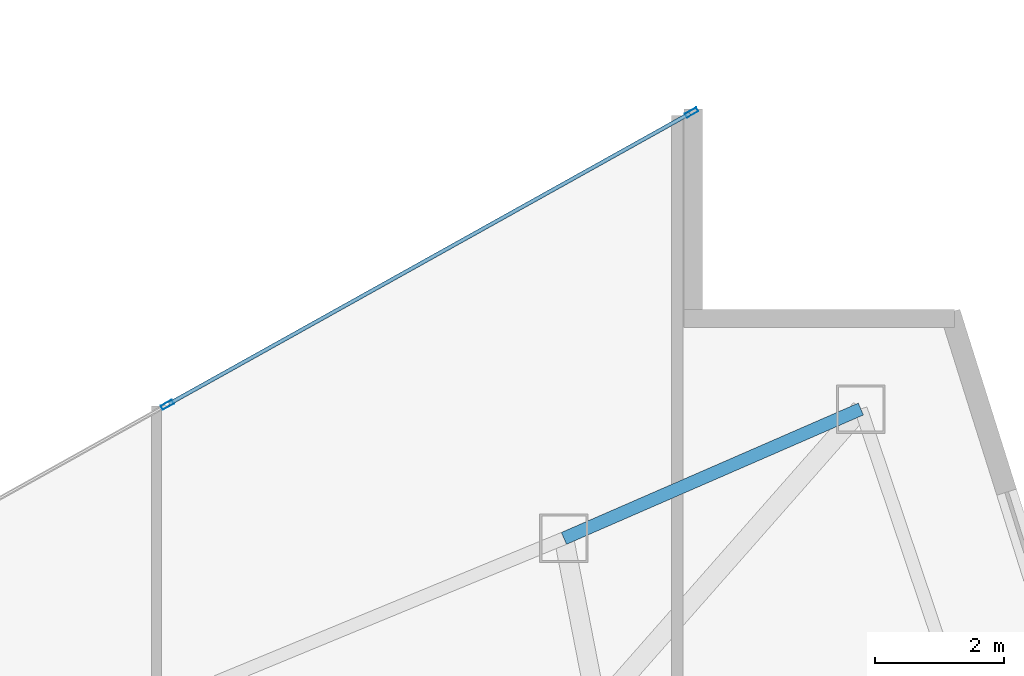
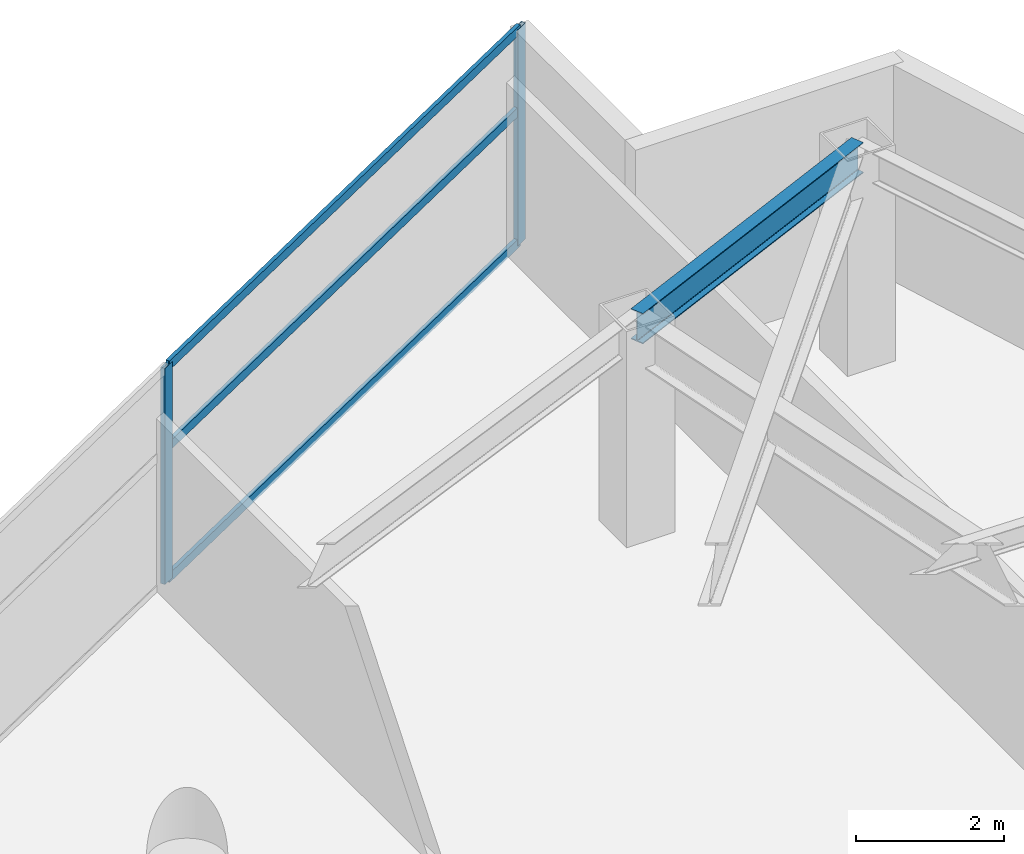
# One storey, part 20 of 29: 5 members, 1 beam, 1 element without a shape of its own.
"""IFC4 building model written with IfcOpenShell, lengths in metres."""

from ifc_helpers import new_model, si_unit, direction, frame, origin, origin_2d, place, context, subcontext, project, spatial, hollow_rectangle, i_section, extrude, material, layer, layer_set, material_profile, profile_set, type_object, element, aggregate, save


model = new_model("IFC4")

# Units and contexts
model_context = context("Model", 3, precision=1e-05, world=origin(), true_north=direction((0.0, 1.0)))
body_context = subcontext(model_context, "Body", "Model", "MODEL_VIEW")
ifc_project = project(units=[si_unit("LENGTHUNIT", "METRE"), si_unit("AREAUNIT", "SQUARE_METRE"), si_unit("VOLUMEUNIT", "CUBIC_METRE"), si_unit("PLANEANGLEUNIT", "RADIAN"), si_unit("MASSUNIT", "GRAM", prefix="KILO")], contexts=[model_context])

# Site, building, storey
site_placement = place(None, origin())
site = spatial("IfcSite", under=ifc_project, at=site_placement, CompositionType="ELEMENT")
building_placement = place(site_placement, origin())
building = spatial("IfcBuilding", under=site, at=building_placement, Name="Calvorn Quay Hotel", CompositionType="ELEMENT")
storey_placement = place(building_placement, frame((0.0, 0.0, 120.199951171875)))
storey = spatial("IfcBuildingStorey", under=building, at=storey_placement, Name="L29", CompositionType="ELEMENT", Elevation=120.199951171875)

# Beam
ifc_material_1 = material(Name="Steel Q355B", Category="steel")
ifc_material_profile_1 = material_profile(ifc_material_1, i_section(OverallWidth=0.199951171875, OverallDepth=0.5, WebThickness=0.010009765625, FlangeThickness=0.01611328125, FilletRadius=0.01611328125, at=origin_2d()), Name="HN500x200x10x16")
ifc_profile_set_1 = profile_set([ifc_material_profile_1], Name="Steel Q355B")
beam_type = type_object("IfcBeamType", Name="BM-SPANDREL-Z1", PredefinedType="SPANDREL", material=ifc_profile_set_1)
beam_placement = place(storey_placement, frame((48.591064453125, 33.39990234375, 3.2900390625), z_axis=(-0.916786146489, -0.399378469132, 0.0), x_axis=(0.399378469132, -0.916786146489, 0.0)))
element("IfcBeam", 1, at=beam_placement, inside=storey, type_object=beam_type, Name="Beam BSP-L29-E3", PredefinedType="SPANDREL", context=body_context, shape_type="SweptSolid", body=[
    extrude(i_section(OverallWidth=0.199951171875, OverallDepth=0.5, WebThickness=0.010009765625, FlangeThickness=0.01611328125, FilletRadius=0.01611328125, at=origin_2d()), origin(), (0.0, 0.0, 1.0), 5.0078125),
])

# Curtain wall, members
ifc_material_2 = material(Name="Pale Anodised Aluminium and Low-E Glass", Category="aluminium")
ifc_layer = layer(ifc_material_2, 0.219970703125)
ifc_layer_set = layer_set([ifc_layer], Name="CW-SYS-Z2")
curtain_wall_type = type_object("IfcCurtainWallType", Name="CW-SYS-Z2", PredefinedType="NOTDEFINED", material=ifc_layer_set)
curtain_wall_placement = place(storey_placement, origin())
curtain_wall = element("IfcCurtainWall", 2, at=curtain_wall_placement, inside=storey, type_object=curtain_wall_type, Name="Inner Court Curtain Wall L29-NE1", PredefinedType="NOTDEFINED")
ifc_material_3 = material(Name="Pale Anodised Aluminium 6063-T6", Category="aluminium")
ifc_material_profile_2 = material_profile(ifc_material_3, hollow_rectangle(XDim=0.070068359375, YDim=0.199951171875, WallThickness=0.00390625, at=origin_2d()), Name="ALU-M200x70x4")
ifc_profile_set_2 = profile_set([ifc_material_profile_2], Name="Pale Anodised Aluminium 6063-T6")
member_type_1 = type_object("IfcMemberType", Name="CW-SYS-Z2-MUL", PredefinedType="MULLION", material=ifc_profile_set_2)
member_1_placement = place(storey_placement, frame((45.973876953125, 37.9853515625, 0.0), z_axis=(0.0, 0.0, 1.0), x_axis=(0.486858256224, -0.873480989116, 0.0)))
member_1 = element("IfcMember", 3, at=member_1_placement, type_object=member_type_1, Name="CW-L29-NE1 mullion 1", PredefinedType="MULLION", context=body_context, shape_type="SweptSolid", body=[
    extrude(hollow_rectangle(XDim=0.070068359375, YDim=0.199951171875, WallThickness=0.00390625, at=origin_2d()), origin(), (0.0, 0.0, 1.0), 3.56005859375),
])
member_2_placement = place(storey_placement, frame((37.86669921875, 33.466552734375, 0.0), z_axis=(0.0, 0.0, 1.0), x_axis=(0.486858256224, -0.873480989116, 0.0)))
member_2 = element("IfcMember", 4, at=member_2_placement, type_object=member_type_1, Name="CW-L29-NE1 mullion 2", PredefinedType="MULLION", context=body_context, shape_type="SweptSolid", body=[
    extrude(hollow_rectangle(XDim=0.070068359375, YDim=0.199951171875, WallThickness=0.00390625, at=origin_2d()), origin(), (0.0, 0.0, 1.0), 3.56005859375),
])
ifc_material_4 = material(Name="Pale Anodised Aluminium 6063-T6", Category="aluminium")
ifc_material_profile_3 = material_profile(ifc_material_4, hollow_rectangle(XDim=0.06005859375, YDim=0.14990234375, WallThickness=0.00341796875, at=origin_2d()), Name="ALU-T150x60x3.5")
ifc_profile_set_3 = profile_set([ifc_material_profile_3], Name="Pale Anodised Aluminium 6063-T6")
member_type_2 = type_object("IfcMemberType", Name="CW-SYS-Z2-TRN", PredefinedType="USERDEFINED", material=ifc_profile_set_3)
member_3_placement = place(storey_placement, frame((45.947509765625, 37.970703125, 0.030029296875), z_axis=(-0.87348080454, -0.486858587375, 0.0), x_axis=(0.486858587375, -0.87348080454, 0.0)))
member_3 = element("IfcMember", 5, at=member_3_placement, type_object=member_type_2, Name="CW-L29-NE1 transom 1.1", ObjectType="TRANSOM", PredefinedType="USERDEFINED", context=body_context, shape_type="SweptSolid", body=[
    extrude(hollow_rectangle(XDim=0.06005859375, YDim=0.14990234375, WallThickness=0.00341796875, at=origin_2d()), origin(), (0.0, 0.0, 1.0), 9.221435546875),
])
member_4_placement = place(storey_placement, frame((45.947509765625, 37.970703125, 2.199951171875), z_axis=(-0.87348080454, -0.486858587375, 0.0), x_axis=(0.486858587375, -0.87348080454, 0.0)))
member_4 = element("IfcMember", 6, at=member_4_placement, type_object=member_type_2, Name="CW-L29-NE1 transom 1.2", ObjectType="TRANSOM", PredefinedType="USERDEFINED", context=body_context, shape_type="SweptSolid", body=[
    extrude(hollow_rectangle(XDim=0.06005859375, YDim=0.14990234375, WallThickness=0.00341796875, at=origin_2d()), origin(), (0.0, 0.0, 1.0), 9.221435546875),
])
member_5_placement = place(storey_placement, frame((45.947509765625, 37.970703125, 3.530029296875), z_axis=(-0.87348080454, -0.486858587375, 0.0), x_axis=(0.486858587375, -0.87348080454, 0.0)))
member_5 = element("IfcMember", 7, at=member_5_placement, type_object=member_type_2, Name="CW-L29-NE1 transom 1.3", ObjectType="TRANSOM", PredefinedType="USERDEFINED", context=body_context, shape_type="SweptSolid", body=[
    extrude(hollow_rectangle(XDim=0.06005859375, YDim=0.14990234375, WallThickness=0.00341796875, at=origin_2d()), origin(), (0.0, 0.0, 1.0), 9.221435546875),
])
aggregate(curtain_wall, [member_1, member_2, member_3, member_4, member_5])

save(model, "model.ifc")
